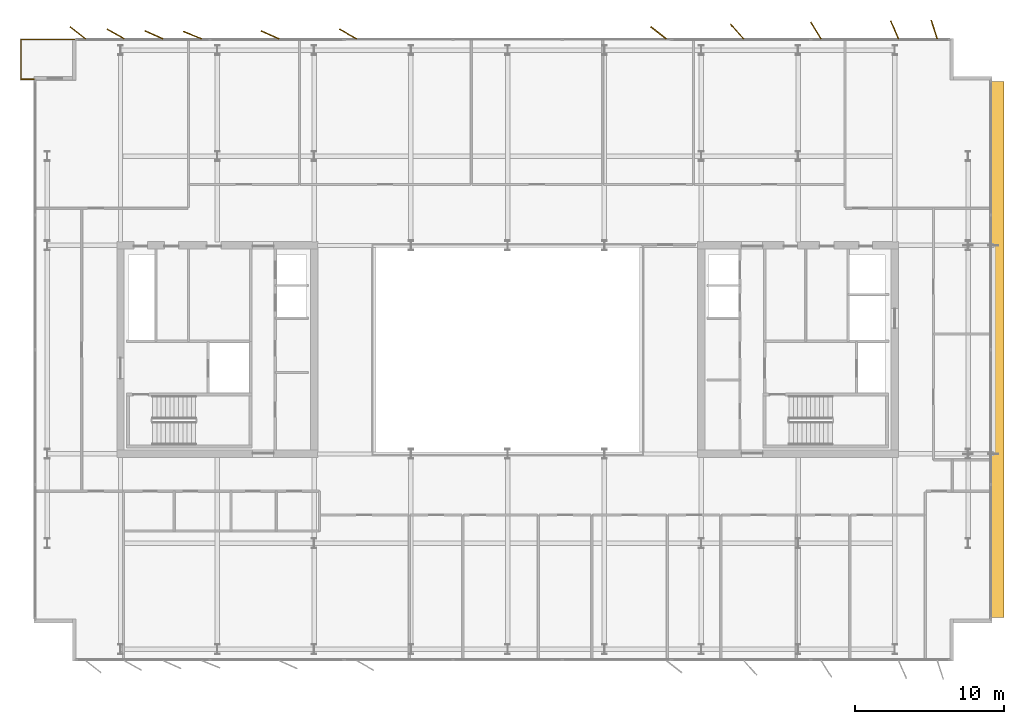
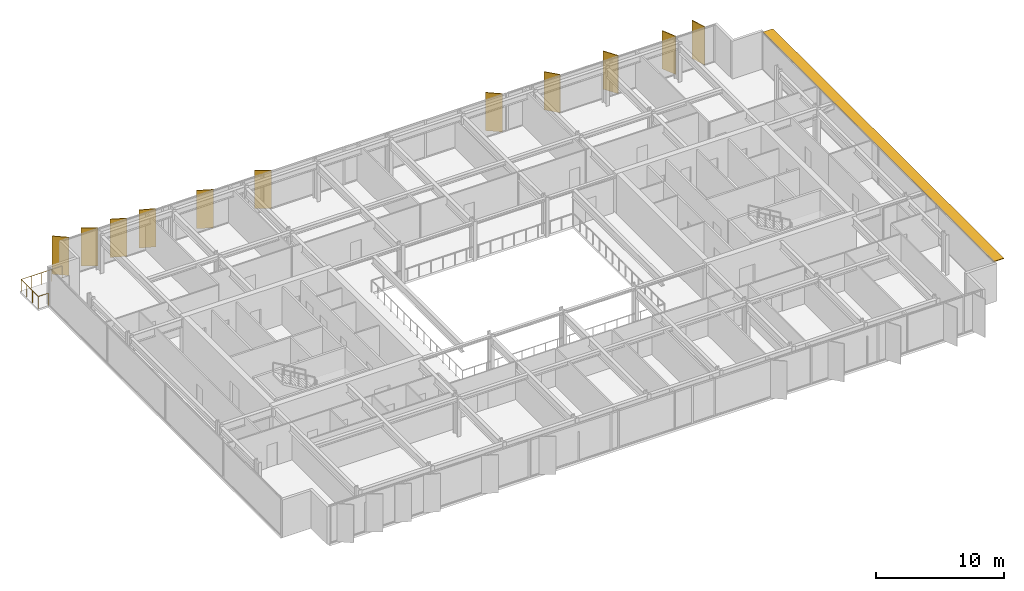
# One storey, part 20 of 20: 12 shading devices, 1 railing.
"""IFC4 building model written with IfcOpenShell, lengths in metres."""

from ifc_helpers import new_model, si_unit, direction, frame, origin, origin_2d, place, context, subcontext, project, spatial, polyline, rectangle, circle, outline, extrude, material, layer, layer_set, type_object, element, save


model = new_model("IFC4")

# Units and contexts
model_context = context("Model", 3, precision=1e-05, world=origin(), true_north=direction((0.0, 1.0)))
body_context = subcontext(model_context, "Body", "Model", "MODEL_VIEW")
ifc_project = project(units=[si_unit("LENGTHUNIT", "METRE"), si_unit("AREAUNIT", "SQUARE_METRE"), si_unit("VOLUMEUNIT", "CUBIC_METRE"), si_unit("PLANEANGLEUNIT", "RADIAN"), si_unit("MASSUNIT", "GRAM", prefix="KILO")], contexts=[model_context])

# Site, building, storey
site_placement = place(None, origin())
site = spatial("IfcSite", under=ifc_project, at=site_placement, CompositionType="ELEMENT")
building_placement = place(site_placement, origin())
building = spatial("IfcBuilding", under=site, at=building_placement, Name="Putna Gate Headquarters", CompositionType="ELEMENT")
storey_placement = place(building_placement, frame((0.0, 0.0, 270.800048828125)))
storey = spatial("IfcBuildingStorey", under=building, at=storey_placement, Name="L68", CompositionType="ELEMENT", Elevation=270.800048828125)

# Railing
ifc_material_1 = material(Name="Anodised bronze steel and laminated glass guardrail", Category="steel")
railing_type = type_object("IfcRailingType", Name="RAIL-TERR-GUARD-1150", PredefinedType="GUARDRAIL", material=ifc_material_1)
railing_placement = place(storey_placement, frame((7.199951171875, 44.159912109375, 0.0)))
element("IfcRailing", 1, at=railing_placement, inside=storey, type_object=railing_type, Name="L68 Spiral Sky Terrace Guardrail NW", PredefinedType="GUARDRAIL", context=body_context, shape_type="SweptSolid", body=[
    extrude(circle(Radius=0.02392578125, at=origin_2d()), frame((0.0, 0.0, 1.1259765625), z_axis=(-1.0, 0.0, 0.0), x_axis=(0.0, -1.0, 0.0)), (0.0, 0.0, 1.0), 0.889892578125),
    extrude(circle(Radius=0.02392578125, at=origin_2d()), frame((-0.889892578125, 0.0, 1.1259765625), z_axis=(0.0, 1.0, 0.0), x_axis=(-1.0, 0.0, 0.0)), (0.0, 0.0, 1.0), 2.68017578125),
    extrude(circle(Radius=0.02392578125, at=origin_2d()), frame((-0.889892578125, 2.68017578125, 1.1259765625), z_axis=(1.0, 0.0, 0.0), x_axis=(0.0, 1.0, 0.0)), (0.0, 0.0, 1.0), 3.68994140625),
    extrude(circle(Radius=0.02099609375, at=origin_2d()), origin(), (0.0, 0.0, 1.0), 1.101806640625),
    extrude(circle(Radius=0.02099609375, at=origin_2d()), frame((-0.889892578125, 0.0, 0.0)), (0.0, 0.0, 1.0), 1.101806640625),
    extrude(circle(Radius=0.02099609375, at=origin_2d()), frame((-0.889892578125, 0.893310546875, 0.0)), (0.0, 0.0, 1.0), 1.101806640625),
    extrude(circle(Radius=0.02099609375, at=origin_2d()), frame((-0.889892578125, 1.786865234375, 0.0)), (0.0, 0.0, 1.0), 1.101806640625),
    extrude(circle(Radius=0.02099609375, at=origin_2d()), frame((-0.889892578125, 2.68017578125, 0.0)), (0.0, 0.0, 1.0), 1.101806640625),
    extrude(circle(Radius=0.02099609375, at=origin_2d()), frame((0.03271484375, 2.68017578125, 0.0)), (0.0, 0.0, 1.0), 1.101806640625),
    extrude(circle(Radius=0.02099609375, at=origin_2d()), frame((0.955078125, 2.68017578125, 0.0)), (0.0, 0.0, 1.0), 1.101806640625),
    extrude(circle(Radius=0.02099609375, at=origin_2d()), frame((1.87744140625, 2.68017578125, 0.0)), (0.0, 0.0, 1.0), 1.101806640625),
    extrude(circle(Radius=0.02099609375, at=origin_2d()), frame((2.800048828125, 2.68017578125, 0.0)), (0.0, 0.0, 1.0), 1.101806640625),
])

# Shading devices
ifc_material_2 = material(Name="Anodised architectural bronze aluminium fin", Category="aluminium")
ifc_layer_1 = layer(ifc_material_2, 0.06494140625)
ifc_layer_set_1 = layer_set([ifc_layer_1], Name="Anodised architectural bronze aluminium fin")
shading_device_type_1 = type_object("IfcShadingDeviceType", Name="SHADE-BRONZE-FIN-1320", PredefinedType="USERDEFINED", material=ifc_layer_set_1)
for number, where, z_axis, x_axis, name in (
    (2, (10.13037109375, 47.28173828125, -0.02001953125), (0.0, 0.0, 1.0), (-0.787473187632, 0.616348909921, 0.0), "L68 Bronze Vertical Shading Fin N1"),
    (3, (12.67626953125, 47.201171875, -0.02001953125), (0.0, 0.0, 1.0), (-0.869322458298, 0.494245347472, 0.0), "L68 Bronze Vertical Shading Fin N2"),
    (4, (15.2470703125, 47.143310546875, -0.02001953125), (0.0, 0.0, 1.0), (-0.913687379856, 0.40641773078, 0.0), "L68 Bronze Vertical Shading Fin N3"),
    (5, (17.838134765625, 47.122314453125, -0.02001953125), (0.0, 0.0, 1.0), (-0.927183854567, 0.374606593416, 0.0), "L68 Bronze Vertical Shading Fin N4"),
    (6, (23.047119140625, 47.143310546875, -0.02001953125), (0.0, 0.0, 1.0), (-0.913687379856, 0.40641773078, 0.0), "L68 Bronze Vertical Shading Fin N5"),
    (7, (28.276123046875, 47.201171875, -0.02001953125), (0.0, 0.0, 1.0), (-0.869322458298, 0.494245347472, 0.0), "L68 Bronze Vertical Shading Fin N6"),
    (8, (49.13037109375, 47.28173828125, -0.02001953125), (0.0, 0.0, 1.0), (-0.787473187632, 0.616348909921, 0.0), "L68 Bronze Vertical Shading Fin N7"),
    (9, (54.408447265625, 47.365478515625, -0.02001953125), (0.0, 0.0, 1.0), (-0.669130606359, 0.743144825477, 0.0), "L68 Bronze Vertical Shading Fin N8"),
    (10, (59.69970703125, 47.434326171875, -0.02001953125), (0.0, 0.0, 1.0), (-0.530659123936, 0.847585331506, 0.0), "L68 Bronze Vertical Shading Fin N9"),
    (11, (64.985595703125, 47.479736328125, -0.02001953125), (0.0, 0.0, 1.0), (-0.400668879095, 0.916222925562, 0.0), "L68 Bronze Vertical Shading Fin N10"),
    (12, (67.646240234375, 47.502685546875, -0.02001953125), (0.0, 0.0, 1.0), (-0.308684994204, 0.951164325631, 0.0), "L68 Bronze Vertical Shading Fin N11"),
):
    element("IfcShadingDevice", number, at=place(storey_placement, frame(where, z_axis=z_axis, x_axis=x_axis)), inside=storey, type_object=shading_device_type_1, Name=name, ObjectType="FIN", PredefinedType="USERDEFINED", context=body_context, shape_type="SweptSolid", body=[
        extrude(rectangle(XDim=1.320068359375, YDim=0.06494140625, at=origin_2d()), origin(), (0.0, 0.0, 1.0), 3.6279296875),
    ])
ifc_material_3 = material(Name="Anodised architectural bronze sunshade blade", Category="aluminium")
ifc_layer_2 = layer(ifc_material_3, 0.06005859375)
ifc_layer_set_2 = layer_set([ifc_layer_2], Name="Anodised architectural bronze sunshade blade")
shading_device_type_2 = type_object("IfcShadingDeviceType", Name="SHADE-SAIL-BLADE-900", PredefinedType="USERDEFINED", material=ifc_layer_set_2)
shading_device_placement = place(storey_placement, frame((0.0, 0.0, 3.532958984375)))
element("IfcShadingDevice", 13, at=shading_device_placement, inside=storey, type_object=shading_device_type_2, Name="L68 East Sail Horizontal Bronze Sunshade Blade", ObjectType="SUNSHADE", PredefinedType="USERDEFINED", context=body_context, shape_type="SweptSolid", body=[
    extrude(outline(polyline([(71.4326171875, 8.0), (72.332763671875, 8.0), (72.332763671875, 44.0), (71.4326171875, 44.0), (71.4326171875, 8.0)])), origin(), (0.0, 0.0, 1.0), 0.06005859375),
])

save(model, "model.ifc")
